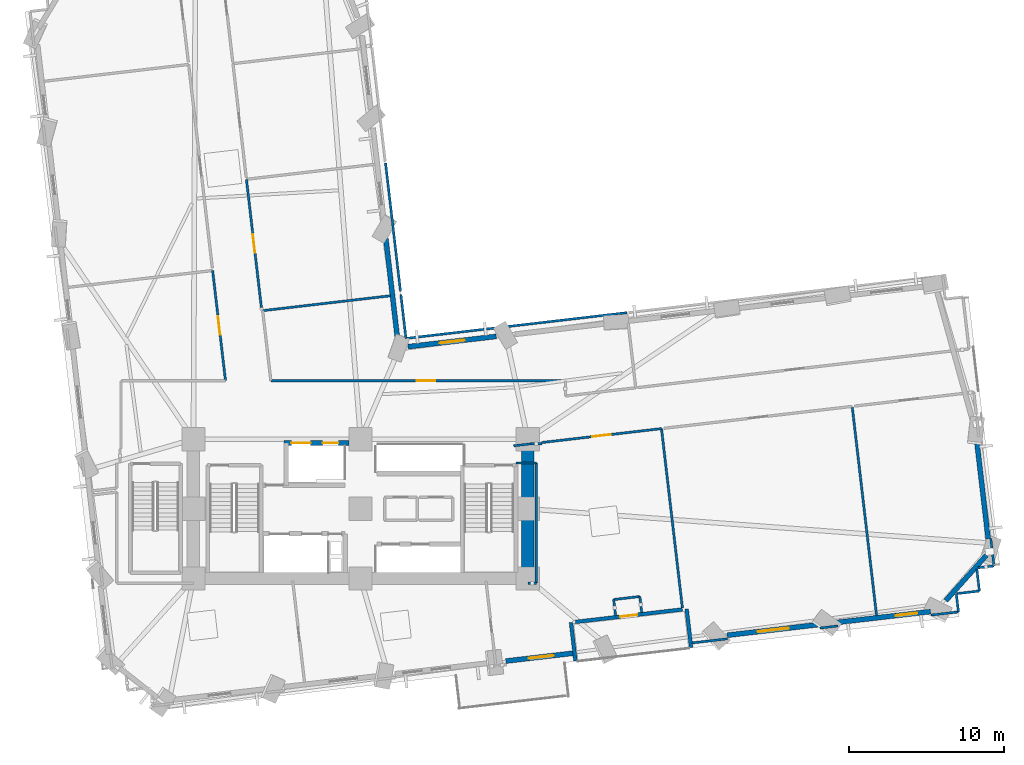
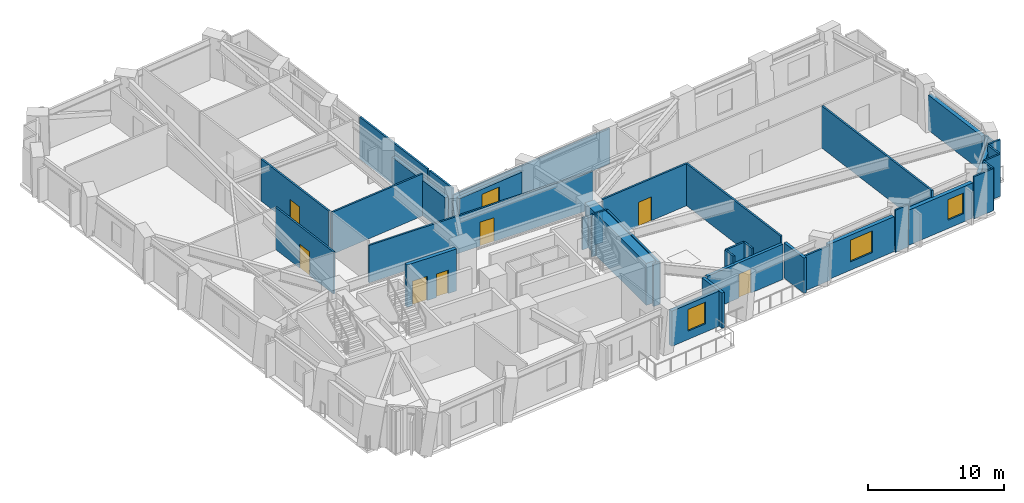
# One storey, part 8 of 14: 38 walls, 7 doors, 4 windows, 11 openings.
"""IFC4 building model written with IfcOpenShell, lengths in metres."""

from ifc_helpers import new_model, si_unit, direction, frame, frame_2d, origin, place, context, subcontext, project, spatial, rectangle, extrude, material, layer, layer_set, type_object, element, fill, save


model = new_model("IFC4")

# Units and contexts
model_context = context("Model", 3, precision=1e-05, world=origin(), true_north=direction((0.0, 1.0)))
body_context = subcontext(model_context, "Body", "Model", "MODEL_VIEW")
ifc_project = project(units=[si_unit("LENGTHUNIT", "METRE"), si_unit("AREAUNIT", "SQUARE_METRE"), si_unit("VOLUMEUNIT", "CUBIC_METRE"), si_unit("PLANEANGLEUNIT", "RADIAN"), si_unit("MASSUNIT", "GRAM", prefix="KILO")], contexts=[model_context])

# Site, building, storey
site_placement = place(None, origin())
site = spatial("IfcSite", under=ifc_project, at=site_placement, CompositionType="ELEMENT")
building_placement = place(site_placement, origin())
building = spatial("IfcBuilding", under=site, at=building_placement, Name="Gaonmaruhae Medical Tower", CompositionType="ELEMENT")
storey_placement = place(building_placement, frame((0.0, 0.0, 51.0)))
storey = spatial("IfcBuildingStorey", under=building, at=storey_placement, Name="L11", CompositionType="ELEMENT", Elevation=51.0)

# Wall
ifc_material_1 = material(Name="Concrete C60/75", Category="concrete")
ifc_layer_1 = layer(ifc_material_1, 0.800048828125)
ifc_layer_set_1 = layer_set([ifc_layer_1], Name="Concrete C60/75")
wall_type_1 = type_object("IfcWallType", Name="CW-800 Lower Core Shear Wall", PredefinedType="SHEAR", material=ifc_layer_set_1)
wall_1_placement = place(storey_placement, frame((35.60009765625, 7.800048828125, 0.0), z_axis=(0.0, 0.0, 1.0), x_axis=(0.0, 1.0, 0.0)))
element("IfcWall", 1, at=wall_1_placement, inside=storey, type_object=wall_type_1, Name="L11 Core Shear Wall CSW-E1", PredefinedType="SHEAR", context=body_context, shape_type="SweptSolid", body=[
    extrude(rectangle(XDim=9.0, YDim=0.800048828125, at=frame_2d((4.5, 0.0))), origin(), (0.0, 0.0, 1.0), 3.780029296875),
])

# Wall, opening, door
ifc_material_2 = material(Name="Precast concrete C45/55", Category="concrete")
ifc_layer_2 = layer(ifc_material_2, 0.239990234375)
ifc_layer_set_2 = layer_set([ifc_layer_2], Name="Precast concrete C45/55")
wall_type_2 = type_object("IfcWallType", Name="EW-240 Ribbon & Shelter Insulated Precast Wall", PredefinedType="SOLIDWALL", material=ifc_layer_set_2)
wall_2_placement = place(storey_placement, frame((45.579833984375, 5.799560546875, 0.0), z_axis=(0.0, 0.0, 1.0), x_axis=(-0.993269328475, -0.115827635352, 0.0)))
wall_2 = element("IfcWall", 2, at=wall_2_placement, inside=storey, type_object=wall_type_2, Name="L11 Recessed Terrace Enclosure Wall TERB", PredefinedType="SOLIDWALL", context=body_context, shape_type="SweptSolid", body=[
    extrude(rectangle(XDim=6.9599609375, YDim=0.239990234375, at=frame_2d((3.47998046875, 0.0))), origin(), (0.0, 0.0, 1.0), 3.1650390625),
])
opening_1_placement = place(wall_2_placement, frame((2.929931640625, 0.0, 0.0)))
opening_1 = element("IfcOpeningElement", 3, at=opening_1_placement, cuts=wall_2, Name="Opening TD-01", PredefinedType="OPENING", context=body_context, shape_type="SweptSolid", body=[
    extrude(rectangle(XDim=1.10009765625, YDim=2.14990234375, at=frame_2d((0.550048828125, 1.074951171875))), frame((0.0, 0.1298828125, 0.0), z_axis=(0.0, -1.0, 0.0), x_axis=(1.0, 0.0, 0.0)), (0.0, 0.0, 1.0), 0.260009765625),
])
ifc_material_3 = material(Name="Anodised aluminium and toughened safety glass", Category="aluminium")
door_type_1 = type_object("IfcDoorType", Name="TD-01 Terrace & Sky Garden Glazed Door 1100x2150", OperationType="NOTDEFINED", PredefinedType="DOOR", material=ifc_material_3)
door_1_placement = place(opening_1_placement, origin())
door_1 = element("IfcDoor", 4, at=door_1_placement, inside=storey, type_object=door_type_1, Name="L11 Outdoor Terrace Access Door SLB-L11-TER", OperationType="SINGLE_SWING_LEFT", OverallHeight=2.14990234375, OverallWidth=1.10009765625, PredefinedType="DOOR", context=body_context, shape_type="SweptSolid", body=[
    extrude(rectangle(XDim=1.10009765625, YDim=2.14990234375, at=frame_2d((0.550048828125, 1.074951171875))), frame((0.0, 0.02490234375, 0.0), z_axis=(0.0, -1.0, 0.0), x_axis=(1.0, 0.0, 0.0)), (0.0, 0.0, 1.0), 0.050048828125),
])
fill(opening_1, door_1)

# Walls
wall_3_placement = place(storey_placement, frame((38.388671875, 4.961181640625, 0.0), z_axis=(0.0, 0.0, 1.0), x_axis=(0.115810052607, -0.993271378685, 0.0)))
element("IfcWall", 5, at=wall_3_placement, inside=storey, type_object=wall_type_2, Name="L11 Recessed Terrace Enclosure Wall TERL", PredefinedType="SOLIDWALL", context=body_context, shape_type="SweptSolid", body=[
    extrude(rectangle(XDim=2.500244140625, YDim=0.239990234375, at=frame_2d((1.25, 0.0))), origin(), (0.0, 0.0, 1.0), 3.1650390625),
])
wall_4_placement = place(storey_placement, frame((46.147705078125, 3.3486328125, 0.0), z_axis=(0.0, 0.0, 1.0), x_axis=(-0.115821286172, 0.993270068848, 0.0)))
element("IfcWall", 6, at=wall_4_placement, inside=storey, type_object=wall_type_2, Name="L11 Recessed Terrace Enclosure Wall TERR", PredefinedType="SOLIDWALL", context=body_context, shape_type="SweptSolid", body=[
    extrude(rectangle(XDim=2.5, YDim=0.239990234375, at=frame_2d((1.25, 0.0))), origin(), (0.0, 0.0, 1.0), 3.1650390625),
])

# Wall, opening, window
ifc_layer_3 = layer(ifc_material_2, 0.320068359375)
ifc_layer_set_3 = layer_set([ifc_layer_3], Name="Precast concrete C45/55")
wall_type_3 = type_object("IfcWallType", Name="EW-320 Lower Precast Masonry-Frame Facade Wall", PredefinedType="SOLIDWALL", material=ifc_layer_set_3)
wall_5_placement = place(storey_placement, frame((38.59912109375, 2.982177734375, 0.0), z_axis=(0.0, 0.0, 1.0), x_axis=(-0.993273351727, -0.115793129113, 0.0)))
wall_5 = element("IfcWall", 7, at=wall_5_placement, inside=storey, type_object=wall_type_3, Name="L11 Precast Masonry-Frame Wall S04-S05", PredefinedType="SOLIDWALL", context=body_context, shape_type="SweptSolid", body=[
    extrude(rectangle(XDim=4.44677734375, YDim=0.320068359375, at=frame_2d((2.223388671875, 0.0))), origin(), (0.0, 0.0, 1.0), 3.1650390625),
])
opening_2_placement = place(wall_5_placement, frame((1.348388671875, 0.0, 0.75)))
opening_2 = element("IfcOpeningElement", 8, at=opening_2_placement, cuts=wall_5, Name="Opening WN-01", PredefinedType="OPENING", context=body_context, shape_type="SweptSolid", body=[
    extrude(rectangle(XDim=1.60009765625, YDim=1.949951171875, at=frame_2d((0.800048828125, 0.97509765625))), frame((0.0, 0.169921875, 0.0), z_axis=(0.0, -1.0, 0.0), x_axis=(1.0, 0.0, 0.0)), (0.0, 0.0, 1.0), 0.340087890625),
])
ifc_material_4 = material(Name="Anodised aluminium and Low-E double glazing", Category="aluminium")
window_type_1 = type_object("IfcWindowType", Name="WN-01 Ward Punched Acoustic Window 1600x1950", PartitioningType="SINGLE_PANEL", PredefinedType="WINDOW", material=ifc_material_4)
window_1_placement = place(opening_2_placement, origin())
window_1 = element("IfcWindow", 9, at=window_1_placement, inside=storey, type_object=window_type_1, Name="L11 Modular Facade Window S04", OverallHeight=1.949951171875, OverallWidth=1.60009765625, PartitioningType="SINGLE_PANEL", PredefinedType="WINDOW", context=body_context, shape_type="SweptSolid", body=[
    extrude(rectangle(XDim=1.60009765625, YDim=1.949951171875, at=frame_2d((0.800048828125, 0.97509765625))), frame((0.0, 0.030029296875, 0.0), z_axis=(0.0, -1.0, 0.0), x_axis=(1.0, 0.0, 0.0)), (0.0, 0.0, 1.0), 0.06005859375),
])
fill(opening_2, window_1)

wall_6_placement = place(storey_placement, frame((54.448974609375, 4.830078125, 0.0), z_axis=(0.0, 0.0, 1.0), x_axis=(-0.993271471443, -0.115809257044, 0.0)))
wall_6 = element("IfcWall", 10, at=wall_6_placement, inside=storey, type_object=wall_type_3, Name="L11 Precast Masonry-Frame Wall S06-S07", PredefinedType="SOLIDWALL", context=body_context, shape_type="SweptSolid", body=[
    extrude(rectangle(XDim=6.012451171875, YDim=0.320068359375, at=frame_2d((3.00634765625, 0.0))), origin(), (0.0, 0.0, 1.0), 3.14501953125),
])
opening_3_placement = place(wall_6_placement, frame((2.009033203125, 0.0, 0.75)))
opening_3 = element("IfcOpeningElement", 11, at=opening_3_placement, cuts=wall_6, Name="Opening WN-02", PredefinedType="OPENING", context=body_context, shape_type="SweptSolid", body=[
    extrude(rectangle(XDim=2.0, YDim=1.949951171875, at=frame_2d((1.0, 0.97509765625))), frame((0.0, 0.169921875, 0.0), z_axis=(0.0, -1.0, 0.0), x_axis=(1.0, 0.0, 0.0)), (0.0, 0.0, 1.0), 0.340087890625),
])
window_type_2 = type_object("IfcWindowType", Name="WN-02 Double-Bed Ward Punched Window 2000x1950", PartitioningType="SINGLE_PANEL", PredefinedType="WINDOW", material=ifc_material_4)
window_2_placement = place(opening_3_placement, origin())
window_2 = element("IfcWindow", 12, at=window_2_placement, inside=storey, type_object=window_type_2, Name="L11 Modular Facade Window S06", OverallHeight=1.949951171875, OverallWidth=2.0, PartitioningType="SINGLE_PANEL", PredefinedType="WINDOW", context=body_context, shape_type="SweptSolid", body=[
    extrude(rectangle(XDim=2.0, YDim=1.949951171875, at=frame_2d((1.0, 0.97509765625))), frame((0.0, 0.030029296875, 0.0), z_axis=(0.0, -1.0, 0.0), x_axis=(1.0, 0.0, 0.0)), (0.0, 0.0, 1.0), 0.06005859375),
])
fill(opening_3, window_2)

wall_7_placement = place(storey_placement, frame((61.619140625, 5.666015625, 0.0), z_axis=(0.0, 0.0, 1.0), x_axis=(-0.993272743398, -0.11579834724, 0.0)))
wall_7 = element("IfcWall", 13, at=wall_7_placement, inside=storey, type_object=wall_type_3, Name="L11 Precast Masonry-Frame Wall S07-S08", PredefinedType="SOLIDWALL", context=body_context, shape_type="SweptSolid", body=[
    extrude(rectangle(XDim=6.044677734375, YDim=0.320068359375, at=frame_2d((3.0224609375, 0.0))), origin(), (0.0, 0.0, 1.0), 3.1650390625),
])
opening_4_placement = place(wall_7_placement, frame((0.8740234375, 0.0, 0.75)))
opening_4 = element("IfcOpeningElement", 14, at=opening_4_placement, cuts=wall_7, Name="Opening WN-03", PredefinedType="OPENING", context=body_context, shape_type="SweptSolid", body=[
    extrude(rectangle(XDim=1.39990234375, YDim=1.85009765625, at=frame_2d((0.699951171875, 0.925048828125))), frame((0.0, 0.169921875, 0.0), z_axis=(0.0, -1.0, 0.0), x_axis=(1.0, 0.0, 0.0)), (0.0, 0.0, 1.0), 0.340087890625),
])
window_type_3 = type_object("IfcWindowType", Name="WN-03 Isolation Ward Punched Window 1400x1850", PartitioningType="SINGLE_PANEL", PredefinedType="WINDOW", material=ifc_material_4)
window_3_placement = place(opening_4_placement, origin())
window_3 = element("IfcWindow", 15, at=window_3_placement, inside=storey, type_object=window_type_3, Name="L11 Modular Facade Window S07", OverallHeight=1.85009765625, OverallWidth=1.39990234375, PartitioningType="SINGLE_PANEL", PredefinedType="WINDOW", context=body_context, shape_type="SweptSolid", body=[
    extrude(rectangle(XDim=1.39990234375, YDim=1.85009765625, at=frame_2d((0.699951171875, 0.925048828125))), frame((0.0, 0.030029296875, 0.0), z_axis=(0.0, -1.0, 0.0), x_axis=(1.0, 0.0, 0.0)), (0.0, 0.0, 1.0), 0.06005859375),
])
fill(opening_4, window_3)

# Walls
wall_8_placement = place(storey_placement, frame((65.21728515625, 9.294189453125, 0.0), z_axis=(0.0, 0.0, 1.0), x_axis=(-0.667878843699, -0.744270011582, 0.0)))
element("IfcWall", 16, at=wall_8_placement, inside=storey, type_object=wall_type_3, Name="L11 Precast Masonry-Frame Wall S08-E01", PredefinedType="SOLIDWALL", context=body_context, shape_type="SweptSolid", body=[
    extrude(rectangle(XDim=3.927734375, YDim=0.320068359375, at=frame_2d((1.9638671875, 0.0))), origin(), (0.0, 0.0, 1.0), 3.1650390625),
])
wall_9_placement = place(storey_placement, frame((64.569580078125, 16.930419921875, 0.0), z_axis=(0.0, 0.0, 1.0), x_axis=(0.115825434827, -0.993269585081, 0.0)))
element("IfcWall", 17, at=wall_9_placement, inside=storey, type_object=wall_type_3, Name="L11 Precast Masonry-Frame Wall E01-E02", PredefinedType="SOLIDWALL", context=body_context, shape_type="SweptSolid", body=[
    extrude(rectangle(XDim=6.610107421875, YDim=0.320068359375, at=frame_2d((3.30517578125, 0.0))), origin(), (0.0, 0.0, 1.0), 3.1650390625),
])

# Wall, opening, window
wall_10_placement = place(storey_placement, frame((27.86328125, 22.77197265625, 0.0), z_axis=(0.0, 0.0, 1.0), x_axis=(0.993271790668, 0.115806519085, 0.0)))
wall_10 = element("IfcWall", 18, at=wall_10_placement, inside=storey, type_object=wall_type_3, Name="L11 Precast Masonry-Frame Wall EN04-KN01", PredefinedType="SOLIDWALL", context=body_context, shape_type="SweptSolid", body=[
    extrude(rectangle(XDim=5.736328125, YDim=0.320068359375, at=frame_2d((2.8681640625, 0.0))), origin(), (0.0, 0.0, 1.0), 3.1650390625),
])
opening_5_placement = place(wall_10_placement, frame((2.068603515625, 0.0, 0.75)))
opening_5 = element("IfcOpeningElement", 19, at=opening_5_placement, cuts=wall_10, Name="Opening WN-01", PredefinedType="OPENING", context=body_context, shape_type="SweptSolid", body=[
    extrude(rectangle(XDim=1.60009765625, YDim=1.949951171875, at=frame_2d((0.800048828125, 0.97509765625))), frame((0.0, 0.169921875, 0.0), z_axis=(0.0, -1.0, 0.0), x_axis=(1.0, 0.0, 0.0)), (0.0, 0.0, 1.0), 0.340087890625),
])
window_4_placement = place(opening_5_placement, origin())
window_4 = element("IfcWindow", 20, at=window_4_placement, inside=storey, type_object=window_type_1, Name="L11 Modular Facade Window EN04", OverallHeight=1.949951171875, OverallWidth=1.60009765625, PartitioningType="SINGLE_PANEL", PredefinedType="WINDOW", context=body_context, shape_type="SweptSolid", body=[
    extrude(rectangle(XDim=1.60009765625, YDim=1.949951171875, at=frame_2d((0.800048828125, 0.97509765625))), frame((0.0, 0.030029296875, 0.0), z_axis=(0.0, -1.0, 0.0), x_axis=(1.0, 0.0, 0.0)), (0.0, 0.0, 1.0), 0.06005859375),
])
fill(opening_5, window_4)

# Walls
wall_11_placement = place(storey_placement, frame((27.186279296875, 23.25048828125, 0.0), z_axis=(0.0, 0.0, 1.0), x_axis=(-0.115796553451, 0.993272952521, 0.0)))
element("IfcWall", 21, at=wall_11_placement, inside=storey, type_object=wall_type_3, Name="L11 Precast Masonry-Frame Wall KN01-NE01", PredefinedType="SOLIDWALL", context=body_context, shape_type="SweptSolid", body=[
    extrude(rectangle(XDim=6.535888671875, YDim=0.320068359375, at=frame_2d((3.26806640625, 0.0))), origin(), (0.0, 0.0, 1.0), 3.1650390625),
])
ifc_material_5 = material(Name="Gypsum board partition", Category="gypsum")
ifc_layer_4 = layer(ifc_material_5, 0.14990234375)
ifc_layer_set_4 = layer_set([ifc_layer_4], Name="Gypsum board partition")
wall_type_4 = type_object("IfcWallType", Name="PW-150 Rated Clinical Corridor Partition", PredefinedType="PARTITIONING", material=ifc_layer_set_4)
wall_12_placement = place(storey_placement, frame((35.60009765625, 7.5, 0.0), z_axis=(0.0, 0.0, 1.0), x_axis=(1.0, 0.0, 0.0)))
element("IfcWall", 22, at=wall_12_placement, inside=storey, type_object=wall_type_4, Name="L11 Interior Partition L11-SUP03-22", PredefinedType="PARTITIONING", context=body_context, shape_type="SweptSolid", body=[
    extrude(rectangle(XDim=0.5498046875, YDim=0.14990234375, at=frame_2d((0.27490234375, 0.0))), origin(), (0.0, 0.0, 1.0), 3.780029296875),
])
wall_13_placement = place(storey_placement, frame((36.14990234375, 7.5, 0.0), z_axis=(0.0, 0.0, 1.0), x_axis=(0.0, 1.0, 0.0)))
element("IfcWall", 23, at=wall_13_placement, inside=storey, type_object=wall_type_4, Name="L11 Interior Partition L11-SUP03-23", PredefinedType="PARTITIONING", context=body_context, shape_type="SweptSolid", body=[
    extrude(rectangle(XDim=7.760009765625, YDim=0.14990234375, at=frame_2d((3.8798828125, 0.0))), origin(), (0.0, 0.0, 1.0), 3.780029296875),
])
wall_14_placement = place(storey_placement, frame((36.14990234375, 15.260009765625, 0.0), z_axis=(0.0, 0.0, 1.0), x_axis=(-1.0, 0.0, 0.0)))
element("IfcWall", 24, at=wall_14_placement, inside=storey, type_object=wall_type_4, Name="L11 Interior Partition L11-SUP03-24", PredefinedType="PARTITIONING", context=body_context, shape_type="SweptSolid", body=[
    extrude(rectangle(XDim=1.2998046875, YDim=0.14990234375, at=frame_2d((0.64990234375, 0.0))), origin(), (0.0, 0.0, 1.0), 3.780029296875),
])
wall_15_placement = place(storey_placement, frame((34.68994140625, 16.3701171875, 0.0), z_axis=(0.0, 0.0, 1.0), x_axis=(0.993332795397, 0.115282078349, 0.0)))
element("IfcWall", 25, at=wall_15_placement, inside=storey, type_object=wall_type_4, Name="L11 Interior Partition L11-SUP03-25", PredefinedType="PARTITIONING", context=body_context, shape_type="SweptSolid", body=[
    extrude(rectangle(XDim=1.126708984375, YDim=0.14990234375, at=frame_2d((0.5634765625, 0.0))), origin(), (0.0, 0.0, 1.0), 2.864990234375),
])
wall_16_placement = place(storey_placement, frame((35.80908203125, 16.5, 0.0), z_axis=(0.0, 0.0, 1.0), x_axis=(1.0, 0.0, 0.0)))
element("IfcWall", 26, at=wall_16_placement, inside=storey, type_object=wall_type_4, Name="L11 Interior Partition L11-SUP03-26", PredefinedType="PARTITIONING", context=body_context, shape_type="SweptSolid", body=[
    extrude(rectangle(XDim=0.69091796875, YDim=0.14990234375, at=frame_2d((0.345458984375, 0.0))), origin(), (0.0, 0.0, 1.0), 2.864990234375),
])

# Wall, opening, door
wall_17_placement = place(storey_placement, frame((36.5, 16.5810546875, 0.0), z_axis=(0.0, 0.0, 1.0), x_axis=(0.993283935169, 0.115702308251, 0.0)))
wall_17 = element("IfcWall", 27, at=wall_17_placement, inside=storey, type_object=wall_type_4, Name="L11 Interior Partition L11-SUP03-27", PredefinedType="PARTITIONING", context=body_context, shape_type="SweptSolid", body=[
    extrude(rectangle(XDim=7.7861328125, YDim=0.14990234375, at=frame_2d((3.89306640625, 0.0))), origin(), (0.0, 0.0, 1.0), 3.780029296875),
])
opening_6_placement = place(wall_17_placement, frame((3.293212890625, 0.0, 0.0)))
opening_6 = element("IfcOpeningElement", 28, at=opening_6_placement, cuts=wall_17, Name="Opening CD-02", PredefinedType="OPENING", context=body_context, shape_type="SweptSolid", body=[
    extrude(rectangle(XDim=1.199951171875, YDim=2.14990234375, at=frame_2d((0.60009765625, 1.074951171875))), frame((0.0, 0.0849609375, 0.0), z_axis=(0.0, -1.0, 0.0), x_axis=(1.0, 0.0, 0.0)), (0.0, 0.0, 1.0), 0.169921875),
])
ifc_material_6 = material(Name="Antimicrobial laminate timber fire door", Category="wood")
door_type_2 = type_object("IfcDoorType", Name="CD-02 Clinical Treatment & Procedure Door 1200x2150", OperationType="NOTDEFINED", PredefinedType="DOOR", material=ifc_material_6)
door_2_placement = place(opening_6_placement, origin())
door_2 = element("IfcDoor", 29, at=door_2_placement, inside=storey, type_object=door_type_2, Name="L11 Clinical Biomedical Charting Office Door", OperationType="SINGLE_SWING_RIGHT", OverallHeight=2.14990234375, OverallWidth=1.199951171875, PredefinedType="DOOR", context=body_context, shape_type="SweptSolid", body=[
    extrude(rectangle(XDim=1.199951171875, YDim=2.14990234375, at=frame_2d((0.60009765625, 1.074951171875))), frame((0.0, 0.02490234375, 0.0), z_axis=(0.0, -1.0, 0.0), x_axis=(1.0, 0.0, 0.0)), (0.0, 0.0, 1.0), 0.050048828125),
])
fill(opening_6, door_2)

# Walls
wall_18_placement = place(storey_placement, frame((44.23388671875, 17.48193359375, 0.0), z_axis=(0.0, 0.0, 1.0), x_axis=(0.115809127061, -0.993271486598, 0.0)))
element("IfcWall", 30, at=wall_18_placement, inside=storey, type_object=wall_type_4, Name="L11 Interior Partition L11-SUP03-28", PredefinedType="PARTITIONING", context=body_context, shape_type="SweptSolid", body=[
    extrude(rectangle(XDim=11.66650390625, YDim=0.14990234375, at=frame_2d((5.833251953125, 0.0))), origin(), (0.0, 0.0, 1.0), 3.780029296875),
])
wall_19_placement = place(storey_placement, frame((42.95703125, 5.589111328125, 0.0), z_axis=(0.0, 0.0, 1.0), x_axis=(-0.116626428291, 0.993175853625, 0.0)))
element("IfcWall", 31, at=wall_19_placement, inside=storey, type_object=wall_type_4, Name="L11 Interior Partition L11-SUP03-29", PredefinedType="PARTITIONING", context=body_context, shape_type="SweptSolid", body=[
    extrude(rectangle(XDim=1.054931640625, YDim=0.14990234375, at=frame_2d((0.52734375, 0.0))), origin(), (0.0, 0.0, 1.0), 3.780029296875),
])
wall_20_placement = place(storey_placement, frame((42.833984375, 6.636962890625, 0.0), z_axis=(0.0, 0.0, 1.0), x_axis=(-0.993257074845, -0.115932666966, 0.0)))
element("IfcWall", 32, at=wall_20_placement, inside=storey, type_object=wall_type_4, Name="L11 Interior Partition L11-SUP03-30", PredefinedType="PARTITIONING", context=body_context, shape_type="SweptSolid", body=[
    extrude(rectangle(XDim=1.699462890625, YDim=0.14990234375, at=frame_2d((0.849609375, 0.0))), origin(), (0.0, 0.0, 1.0), 3.780029296875),
])
wall_21_placement = place(storey_placement, frame((41.14599609375, 6.43994140625, 0.0), z_axis=(0.0, 0.0, 1.0), x_axis=(0.115713264087, -0.993282658922, 0.0)))
element("IfcWall", 33, at=wall_21_placement, inside=storey, type_object=wall_type_4, Name="L11 Interior Partition L11-SUP03-31", PredefinedType="PARTITIONING", context=body_context, shape_type="SweptSolid", body=[
    extrude(rectangle(XDim=1.054931640625, YDim=0.14990234375, at=frame_2d((0.52734375, 0.0))), origin(), (0.0, 0.0, 1.0), 3.780029296875),
])
wall_22_placement = place(storey_placement, frame((56.556884765625, 18.867919921875, 0.0), z_axis=(0.0, 0.0, 1.0), x_axis=(0.115751957705, -0.993278150513, 0.0)))
element("IfcWall", 34, at=wall_22_placement, inside=storey, type_object=wall_type_4, Name="L11 Interior Partition L11-SUP04-34", PredefinedType="PARTITIONING", context=body_context, shape_type="SweptSolid", body=[
    extrude(rectangle(XDim=13.56396484375, YDim=0.14990234375, at=frame_2d((6.781982421875, 0.0))), origin(), (0.0, 0.0, 1.0), 3.780029296875),
])
wall_23_placement = place(storey_placement, frame((55.64208984375, 4.737060546875, 0.0), z_axis=(0.0, 0.0, 1.0), x_axis=(-0.993267925726, -0.115839663867, 0.0)))
element("IfcWall", 35, at=wall_23_placement, inside=storey, type_object=wall_type_4, Name="L11 Interior Partition L11-SUP04-35", PredefinedType="PARTITIONING", context=body_context, shape_type="SweptSolid", body=[
    extrude(rectangle(XDim=1.173828125, YDim=0.14990234375, at=frame_2d((0.5869140625, 0.0))), origin(), (0.0, 0.0, 1.0), 3.780029296875),
])
wall_24_placement = place(storey_placement, frame((48.50390625, 3.905029296875, 0.0), z_axis=(0.0, 0.0, 1.0), x_axis=(-0.993289881522, -0.115651248445, 0.0)))
element("IfcWall", 36, at=wall_24_placement, inside=storey, type_object=wall_type_4, Name="L11 Interior Partition L11-SUP04-36", PredefinedType="PARTITIONING", context=body_context, shape_type="SweptSolid", body=[
    extrude(rectangle(XDim=2.309326171875, YDim=0.14990234375, at=frame_2d((1.15478515625, 0.0))), origin(), (0.0, 0.0, 1.0), 3.14501953125),
])
wall_25_placement = place(storey_placement, frame((64.77197265625, 6.989990234375, 0.0), z_axis=(0.0, 0.0, 1.0), x_axis=(-0.993244706562, -0.116038583611, 0.0)))
element("IfcWall", 37, at=wall_25_placement, inside=storey, type_object=wall_type_4, Name="L11 Interior Partition L11-SUP05-37", PredefinedType="PARTITIONING", context=body_context, shape_type="SweptSolid", body=[
    extrude(rectangle(XDim=1.500244140625, YDim=0.14990234375, at=frame_2d((0.75, 0.0))), origin(), (0.0, 0.0, 1.0), 3.780029296875),
])
wall_26_placement = place(storey_placement, frame((63.281982421875, 6.81591796875, 0.0), z_axis=(0.0, 0.0, 1.0), x_axis=(0.11608484331, -0.993239301052, 0.0)))
element("IfcWall", 38, at=wall_26_placement, inside=storey, type_object=wall_type_4, Name="L11 Interior Partition L11-SUP05-38", PredefinedType="PARTITIONING", context=body_context, shape_type="SweptSolid", body=[
    extrude(rectangle(XDim=1.179931640625, YDim=0.14990234375, at=frame_2d((0.58984375, 0.0))), origin(), (0.0, 0.0, 1.0), 3.780029296875),
])
wall_27_placement = place(storey_placement, frame((63.4189453125, 5.64404296875, 0.0), z_axis=(0.0, 0.0, 1.0), x_axis=(-0.993251064324, -0.115984150723, 0.0)))
element("IfcWall", 39, at=wall_27_placement, inside=storey, type_object=wall_type_4, Name="L11 Interior Partition L11-SUP05-39", PredefinedType="PARTITIONING", context=body_context, shape_type="SweptSolid", body=[
    extrude(rectangle(XDim=1.784912109375, YDim=0.14990234375, at=frame_2d((0.892578125, 0.0))), origin(), (0.0, 0.0, 1.0), 3.780029296875),
])
wall_28_placement = place(storey_placement, frame((65.50390625, 10.384033203125, 0.0), z_axis=(0.0, 0.0, 1.0), x_axis=(0.115921158614, -0.993258418029, 0.0)))
element("IfcWall", 40, at=wall_28_placement, inside=storey, type_object=wall_type_4, Name="L11 Interior Partition L11-SUP05-44", PredefinedType="PARTITIONING", context=body_context, shape_type="SweptSolid", body=[
    extrude(rectangle(XDim=1.785888671875, YDim=0.14990234375, at=frame_2d((0.89306640625, 0.0))), origin(), (0.0, 0.0, 1.0), 3.1650390625),
])
wall_29_placement = place(storey_placement, frame((65.7109375, 8.610107421875, 0.0), z_axis=(0.0, 0.0, 1.0), x_axis=(-0.99322397799, -0.116215874754, 0.0)))
element("IfcWall", 41, at=wall_29_placement, inside=storey, type_object=wall_type_4, Name="L11 Interior Partition L11-SUP05-45", PredefinedType="PARTITIONING", context=body_context, shape_type="SweptSolid", body=[
    extrude(rectangle(XDim=1.0419921875, YDim=0.14990234375, at=frame_2d((0.52099609375, 0.0))), origin(), (0.0, 0.0, 1.0), 3.780029296875),
])
wall_30_placement = place(storey_placement, frame((64.60595703125, 8.410888671875, 0.0), z_axis=(0.0, 0.0, 1.0), x_axis=(0.116049066602, -0.993243481801, 0.0)))
element("IfcWall", 42, at=wall_30_placement, inside=storey, type_object=wall_type_4, Name="L11 Interior Partition L11-SUP05-46", PredefinedType="PARTITIONING", context=body_context, shape_type="SweptSolid", body=[
    extrude(rectangle(XDim=1.4306640625, YDim=0.14990234375, at=frame_2d((0.71533203125, 0.0))), origin(), (0.0, 0.0, 1.0), 3.780029296875),
])

# Wall, opening, door
wall_31_placement = place(storey_placement, frame((15.240966796875, 27.693115234375, 0.0), z_axis=(0.0, 0.0, 1.0), x_axis=(0.115911530518, -0.993259541657, 0.0)))
wall_31 = element("IfcWall", 43, at=wall_31_placement, inside=storey, type_object=wall_type_4, Name="L11 Interior Partition L11-WOF06-54", PredefinedType="PARTITIONING", context=body_context, shape_type="SweptSolid", body=[
    extrude(rectangle(XDim=7.161376953125, YDim=0.14990234375, at=frame_2d((3.58056640625, 0.0))), origin(), (0.0, 0.0, 1.0), 3.780029296875),
])
opening_7_placement = place(wall_31_placement, frame((2.980712890625, 0.0, 0.0)))
opening_7 = element("IfcOpeningElement", 44, at=opening_7_placement, cuts=wall_31, Name="Opening CD-02", PredefinedType="OPENING", context=body_context, shape_type="SweptSolid", body=[
    extrude(rectangle(XDim=1.199951171875, YDim=2.14990234375, at=frame_2d((0.60009765625, 1.074951171875))), frame((0.0, 0.0849609375, 0.0), z_axis=(0.0, -1.0, 0.0), x_axis=(1.0, 0.0, 0.0)), (0.0, 0.0, 1.0), 0.169921875),
])
door_3_placement = place(opening_7_placement, origin())
door_3 = element("IfcDoor", 45, at=door_3_placement, inside=storey, type_object=door_type_2, Name="L11 Ward Physician Reporting Office Door", OperationType="SINGLE_SWING_RIGHT", OverallHeight=2.14990234375, OverallWidth=1.199951171875, PredefinedType="DOOR", context=body_context, shape_type="SweptSolid", body=[
    extrude(rectangle(XDim=1.199951171875, YDim=2.14990234375, at=frame_2d((0.60009765625, 1.074951171875))), frame((0.0, 0.02490234375, 0.0), z_axis=(0.0, -1.0, 0.0), x_axis=(1.0, 0.0, 0.0)), (0.0, 0.0, 1.0), 0.050048828125),
])
fill(opening_7, door_3)

wall_32_placement = place(storey_placement, frame((38.0029296875, 20.580078125, 0.0), z_axis=(0.0, 0.0, 1.0), x_axis=(-1.0, 0.0, 0.0)))
wall_32 = element("IfcWall", 46, at=wall_32_placement, inside=storey, type_object=wall_type_4, Name="L11 Interior Partition L11-IE01-70", PredefinedType="PARTITIONING", context=body_context, shape_type="SweptSolid", body=[
    extrude(rectangle(XDim=19.0029296875, YDim=0.14990234375, at=frame_2d((9.50146484375, 0.0))), origin(), (0.0, 0.0, 1.0), 3.364990234375),
])
opening_8_placement = place(wall_32_placement, frame((8.38427734375, 0.0, 0.0)))
opening_8 = element("IfcOpeningElement", 47, at=opening_8_placement, cuts=wall_32, Name="Opening CD-02", PredefinedType="OPENING", context=body_context, shape_type="SweptSolid", body=[
    extrude(rectangle(XDim=1.199951171875, YDim=2.14990234375, at=frame_2d((0.60009765625, 1.074951171875))), frame((0.0, 0.0849609375, 0.0), z_axis=(0.0, -1.0, 0.0), x_axis=(1.0, 0.0, 0.0)), (0.0, 0.0, 1.0), 0.169921875),
])
door_4_placement = place(opening_8_placement, origin())
door_4 = element("IfcDoor", 48, at=door_4_placement, inside=storey, type_object=door_type_2, Name="L11 Central Clinical Nurse Station Door", OperationType="SINGLE_SWING_RIGHT", OverallHeight=2.14990234375, OverallWidth=1.199951171875, PredefinedType="DOOR", context=body_context, shape_type="SweptSolid", body=[
    extrude(rectangle(XDim=1.199951171875, YDim=2.14990234375, at=frame_2d((0.60009765625, 1.074951171875))), frame((0.0, 0.02490234375, 0.0), z_axis=(0.0, -1.0, 0.0), x_axis=(1.0, 0.0, 0.0)), (0.0, 0.0, 1.0), 0.050048828125),
])
fill(opening_8, door_4)

# Walls
wall_33_placement = place(storey_placement, frame((18.472900390625, 25.10009765625, 0.0), z_axis=(0.0, 0.0, 1.0), x_axis=(0.993271256361, 0.115811101742, 0.0)))
element("IfcWall", 49, at=wall_33_placement, inside=storey, type_object=wall_type_4, Name="L11 Interior Partition L11-IE01-72", PredefinedType="PARTITIONING", context=body_context, shape_type="SweptSolid", body=[
    extrude(rectangle(XDim=8.305908203125, YDim=0.14990234375, at=frame_2d((4.15283203125, 0.0))), origin(), (0.0, 0.0, 1.0), 3.780029296875),
])
wall_34_placement = place(storey_placement, frame((27.403076171875, 26.14111328125, 0.0), z_axis=(0.0, 0.0, 1.0), x_axis=(0.115762348631, -0.993276939549, 0.0)))
element("IfcWall", 50, at=wall_34_placement, inside=storey, type_object=wall_type_4, Name="L11 Interior Partition L11-IE01-73", PredefinedType="PARTITIONING", context=body_context, shape_type="SweptSolid", body=[
    extrude(rectangle(XDim=2.84912109375, YDim=0.14990234375, at=frame_2d((1.424560546875, 0.0))), origin(), (0.0, 0.0, 1.0), 3.780029296875),
])
wall_35_placement = place(storey_placement, frame((27.73291015625, 23.31103515625, 0.0), z_axis=(0.0, 0.0, 1.0), x_axis=(0.993278060378, 0.115752731161, 0.0)))
element("IfcWall", 51, at=wall_35_placement, inside=storey, type_object=wall_type_4, Name="L11 Interior Partition L11-IE01-74", PredefinedType="PARTITIONING", context=body_context, shape_type="SweptSolid", body=[
    extrude(rectangle(XDim=14.36767578125, YDim=0.14990234375, at=frame_2d((7.183837890625, 0.0))), origin(), (0.0, 0.0, 1.0), 3.1650390625),
])

# Wall, opening, door
wall_36_placement = place(storey_placement, frame((18.389892578125, 25.302001953125, 0.0), z_axis=(0.0, 0.0, 1.0), x_axis=(-0.115805129376, 0.993271952695, 0.0)))
wall_36 = element("IfcWall", 52, at=wall_36_placement, inside=storey, type_object=wall_type_4, Name="L11 Interior Partition L11-IN01-81", PredefinedType="PARTITIONING", context=body_context, shape_type="SweptSolid", body=[
    extrude(rectangle(XDim=8.340087890625, YDim=0.14990234375, at=frame_2d((4.169921875, 0.0))), origin(), (0.0, 0.0, 1.0), 3.780029296875),
])
opening_9_placement = place(wall_36_placement, frame((3.570068359375, 0.0, 0.0)))
opening_9 = element("IfcOpeningElement", 53, at=opening_9_placement, cuts=wall_36, Name="Opening CD-02", PredefinedType="OPENING", context=body_context, shape_type="SweptSolid", body=[
    extrude(rectangle(XDim=1.199951171875, YDim=2.14990234375, at=frame_2d((0.60009765625, 1.074951171875))), frame((0.0, 0.0849609375, 0.0), z_axis=(0.0, -1.0, 0.0), x_axis=(1.0, 0.0, 0.0)), (0.0, 0.0, 1.0), 0.169921875),
])
door_5_placement = place(opening_9_placement, origin())
door_5 = element("IfcDoor", 54, at=door_5_placement, inside=storey, type_object=door_type_2, Name="L11 Physician Consultation Office Door", OperationType="SINGLE_SWING_RIGHT", OverallHeight=2.14990234375, OverallWidth=1.199951171875, PredefinedType="DOOR", context=body_context, shape_type="SweptSolid", body=[
    extrude(rectangle(XDim=1.199951171875, YDim=2.14990234375, at=frame_2d((0.60009765625, 1.074951171875))), frame((0.0, 0.02490234375, 0.0), z_axis=(0.0, -1.0, 0.0), x_axis=(1.0, 0.0, 0.0)), (0.0, 0.0, 1.0), 0.050048828125),
])
fill(opening_9, door_5)

# Wall
wall_37_placement = place(storey_placement, frame((26.4130859375, 34.634033203125, 0.0), z_axis=(0.0, 0.0, 1.0), x_axis=(0.115805129376, -0.993271952695, 0.0)))
element("IfcWall", 55, at=wall_37_placement, inside=storey, type_object=wall_type_4, Name="L11 Interior Partition L11-IN01-83", PredefinedType="PARTITIONING", context=body_context, shape_type="SweptSolid", body=[
    extrude(rectangle(XDim=8.340087890625, YDim=0.14990234375, at=frame_2d((4.169921875, 0.0))), origin(), (0.0, 0.0, 1.0), 3.780029296875),
])

# Wall, openings, doors
ifc_material_7 = material(Name="Concrete C50/60", Category="concrete")
ifc_layer_5 = layer(ifc_material_7, 0.300048828125)
ifc_layer_set_5 = layer_set([ifc_layer_5], Name="Concrete C50/60")
wall_type_5 = type_object("IfcWallType", Name="SW-300 Stair & Lift Hoistway Shaft Wall", PredefinedType="SOLIDWALL", material=ifc_layer_set_5)
wall_38_placement = place(storey_placement, frame((19.85009765625, 16.550048828125, 0.0), z_axis=(0.0, 0.0, 1.0), x_axis=(1.0, 0.0, 0.0)))
wall_38 = element("IfcWall", 56, at=wall_38_placement, inside=storey, type_object=wall_type_5, Name="L11 Core Shear Wall CSW-NB", PredefinedType="SOLIDWALL", context=body_context, shape_type="SweptSolid", body=[
    extrude(rectangle(XDim=4.199951171875, YDim=0.300048828125, at=frame_2d((2.10009765625, 0.0))), origin(), (0.0, 0.0, 1.0), 3.780029296875),
])
opening_10_placement = place(wall_38_placement, frame((0.47509765625, 0.0, 0.0)))
opening_10 = element("IfcOpeningElement", 57, at=opening_10_placement, cuts=wall_38, Name="Opening LD-F1", PredefinedType="OPENING", context=body_context, shape_type="SweptSolid", body=[
    extrude(rectangle(XDim=1.25, YDim=2.179931640625, at=frame_2d((0.625, 1.08984375))), frame((0.0, 0.16015625, 0.0), z_axis=(0.0, -1.0, 0.0), x_axis=(1.0, 0.0, 0.0)), (0.0, 0.0, 1.0), 0.320068359375),
])
opening_11_placement = place(wall_38_placement, frame((2.489990234375, 0.0, 0.0)))
opening_11 = element("IfcOpeningElement", 58, at=opening_11_placement, cuts=wall_38, Name="Opening LD-S1", PredefinedType="OPENING", context=body_context, shape_type="SweptSolid", body=[
    extrude(rectangle(XDim=1.02001953125, YDim=2.1201171875, at=frame_2d((0.510009765625, 1.06005859375))), frame((0.0, 0.16015625, 0.0), z_axis=(0.0, -1.0, 0.0), x_axis=(1.0, 0.0, 0.0)), (0.0, 0.0, 1.0), 0.320068359375),
])
ifc_material_8 = material(Name="Brushed stainless steel 316L landing door", Category="steel")
door_type_3 = type_object("IfcDoorType", Name="LD-F1 Firefighting & Bed Lift Sliding Landing Door 1250x2180", OperationType="NOTDEFINED", PredefinedType="DOOR", material=ifc_material_8)
door_6_placement = place(opening_10_placement, origin())
door_6 = element("IfcDoor", 59, at=door_6_placement, inside=storey, type_object=door_type_3, Name="L11 Service/Bed Lift Landing Door BDL-01", OperationType="DOUBLE_DOOR_SLIDING", OverallHeight=2.179931640625, OverallWidth=1.25, PredefinedType="DOOR", context=body_context, shape_type="SweptSolid", body=[
    extrude(rectangle(XDim=1.25, YDim=2.179931640625, at=frame_2d((0.625, 1.08984375))), frame((0.0, 0.02490234375, 0.0), z_axis=(0.0, -1.0, 0.0), x_axis=(1.0, 0.0, 0.0)), (0.0, 0.0, 1.0), 0.050048828125),
])
fill(opening_10, door_6)
ifc_material_9 = material(Name="Brushed stainless steel 304 landing door", Category="steel")
door_type_4 = type_object("IfcDoorType", Name="LD-S1 Service Lift Sliding Landing Door 1020x2120", OperationType="NOTDEFINED", PredefinedType="DOOR", material=ifc_material_9)
door_7_placement = place(opening_11_placement, origin())
door_7 = element("IfcDoor", 60, at=door_7_placement, inside=storey, type_object=door_type_4, Name="L11 Service/Bed Lift Landing Door SVL-01", OperationType="SLIDING_TO_LEFT", OverallHeight=2.1201171875, OverallWidth=1.02001953125, PredefinedType="DOOR", context=body_context, shape_type="SweptSolid", body=[
    extrude(rectangle(XDim=1.02001953125, YDim=2.1201171875, at=frame_2d((0.510009765625, 1.06005859375))), frame((0.0, 0.02490234375, 0.0), z_axis=(0.0, -1.0, 0.0), x_axis=(1.0, 0.0, 0.0)), (0.0, 0.0, 1.0), 0.050048828125),
])
fill(opening_11, door_7)

save(model, "model.ifc")
